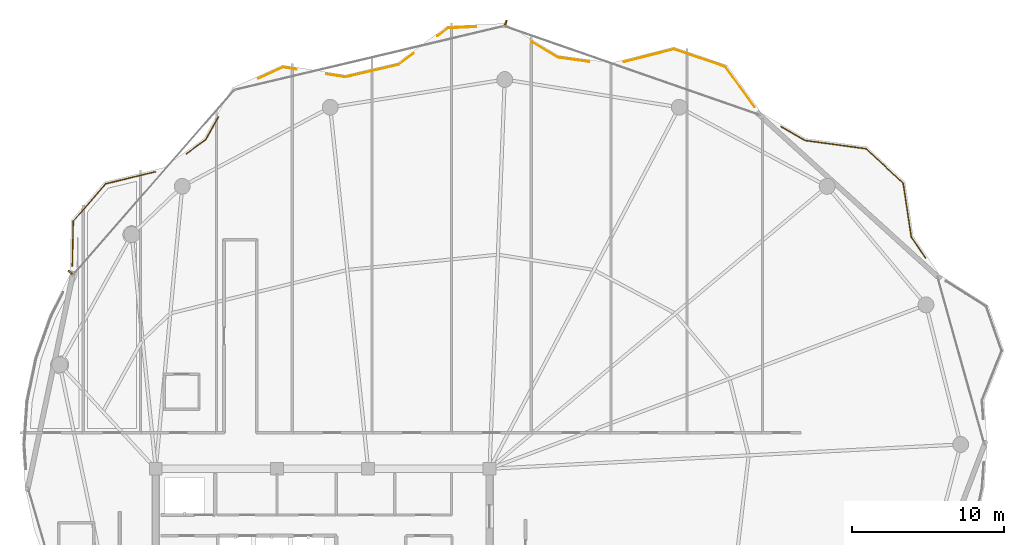
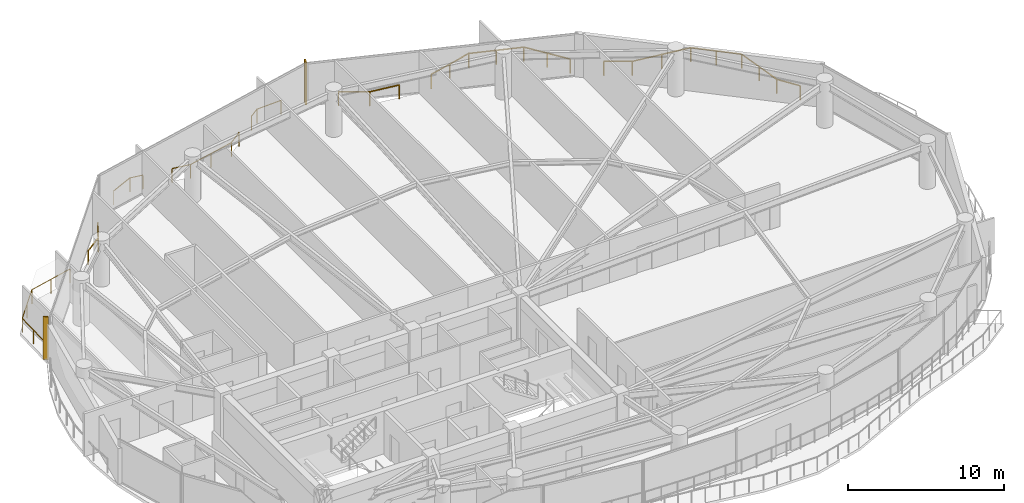
# One storey, part 29 of 29: 8 railings, 2 shading devices.
"""IFC4 building model written with IfcOpenShell, lengths in metres."""

from ifc_helpers import new_model, si_unit, direction, frame, origin, origin_2d, place, context, subcontext, project, spatial, rectangle, extrude, material, type_object, element, save


model = new_model("IFC4")

# Units and contexts
model_context = context("Model", 3, precision=1e-05, world=origin(), true_north=direction((0.0, 1.0)))
body_context = subcontext(model_context, "Body", "Model", "MODEL_VIEW")
ifc_project = project(units=[si_unit("LENGTHUNIT", "METRE"), si_unit("AREAUNIT", "SQUARE_METRE"), si_unit("VOLUMEUNIT", "CUBIC_METRE"), si_unit("PLANEANGLEUNIT", "RADIAN"), si_unit("MASSUNIT", "GRAM", prefix="KILO")], contexts=[model_context])

# Site, building, storey
site_placement = place(None, origin())
site = spatial("IfcSite", under=ifc_project, at=site_placement, CompositionType="ELEMENT")
building_placement = place(site_placement, origin())
building = spatial("IfcBuilding", under=site, at=building_placement, Name="Kazevale Care Tower and Concert Hall", CompositionType="ELEMENT")
storey_placement = place(building_placement, frame((0.0, 0.0, 199.199951171875)))
storey = spatial("IfcBuildingStorey", under=building, at=storey_placement, Name="L52", CompositionType="ELEMENT", Elevation=199.199951171875)

# Railings
ifc_material_1 = material(Name="Anodised Bronze Aluminium and Laminated Glass", Category="aluminium")
railing_type = type_object("IfcRailingType", Name="Balcony and Terrace Balustrade 1120", PredefinedType="BALUSTRADE", material=ifc_material_1)
railing_1_placement = place(storey_placement, frame((16.5009765625, 49.77392578125, 0.0)))
element("IfcRailing", 1, at=railing_1_placement, inside=storey, type_object=railing_type, Name="rail:L52:perim:2", PredefinedType="BALUSTRADE", context=body_context, shape_type="SweptSolid", body=[
    extrude(rectangle(XDim=0.048095703125, YDim=0.048095703125, at=origin_2d()), frame((0.0, 0.0, 1.09619140625), z_axis=(0.020776893953, 0.99978413704, 0.0), x_axis=(-0.99978413704, 0.020776893953, 0.0)), (0.0, 0.0, 1.0), 2.937744140625),
    extrude(rectangle(XDim=0.048095703125, YDim=0.048095703125, at=origin_2d()), frame((0.06103515625, 2.93701171875, 1.09619140625), z_axis=(0.653442230106, 0.75697638795, 0.0), x_axis=(-0.75697638795, 0.653442230106, 0.0)), (0.0, 0.0, 1.0), 3.256591796875),
    extrude(rectangle(XDim=0.048095703125, YDim=0.048095703125, at=origin_2d()), frame((2.18896484375, 5.402099609375, 1.09619140625), z_axis=(0.972048614054, 0.234779666741, 0.0), x_axis=(-0.234779666741, 0.972048614054, 0.0)), (0.0, 0.0, 1.0), 3.373291015625),
    extrude(rectangle(XDim=0.0419921875, YDim=0.0419921875, at=origin_2d()), origin(), (0.0, 0.0, 1.0), 1.072021484375),
    extrude(rectangle(XDim=0.0419921875, YDim=0.0419921875, at=origin_2d()), frame((0.030517578125, 1.468505859375, 0.0)), (0.0, 0.0, 1.0), 1.072021484375),
    extrude(rectangle(XDim=0.0419921875, YDim=0.0419921875, at=origin_2d()), frame((0.06103515625, 2.93701171875, 0.0)), (0.0, 0.0, 1.0), 1.072021484375),
    extrude(rectangle(XDim=0.0419921875, YDim=0.0419921875, at=origin_2d()), frame((1.125, 4.16943359375, 0.0)), (0.0, 0.0, 1.0), 1.072021484375),
    extrude(rectangle(XDim=0.0419921875, YDim=0.0419921875, at=origin_2d()), frame((2.18896484375, 5.402099609375, 0.0)), (0.0, 0.0, 1.0), 1.072021484375),
    extrude(rectangle(XDim=0.0419921875, YDim=0.0419921875, at=origin_2d()), frame((3.82861328125, 5.798095703125, 0.0)), (0.0, 0.0, 1.0), 1.072021484375),
    extrude(rectangle(XDim=0.0419921875, YDim=0.0419921875, at=origin_2d()), frame((5.468017578125, 6.194091796875, 0.0)), (0.0, 0.0, 1.0), 1.072021484375),
])
railing_2_placement = place(storey_placement, frame((24.01708984375, 57.159912109375, 0.0)))
element("IfcRailing", 2, at=railing_2_placement, inside=storey, type_object=railing_type, Name="rail:L52:perim:3", PredefinedType="BALUSTRADE", context=body_context, shape_type="SweptSolid", body=[
    extrude(rectangle(XDim=0.048095703125, YDim=0.048095703125, at=origin_2d()), frame((0.0, 0.0, 1.09619140625), z_axis=(0.809493304449, 0.587129108504, 0.0), x_axis=(-0.587129108504, 0.809493304449, 0.0)), (0.0, 0.0, 1.0), 1.56005859375),
    extrude(rectangle(XDim=0.048095703125, YDim=0.048095703125, at=origin_2d()), frame((1.262939453125, 0.916015625, 1.09619140625), z_axis=(0.490315047546, 0.871545267987, 0.0), x_axis=(-0.871545267987, 0.490315047546, 0.0)), (0.0, 0.0, 1.0), 1.723388671875),
    extrude(rectangle(XDim=0.0419921875, YDim=0.0419921875, at=origin_2d()), origin(), (0.0, 0.0, 1.0), 1.072021484375),
    extrude(rectangle(XDim=0.0419921875, YDim=0.0419921875, at=origin_2d()), frame((1.262939453125, 0.916015625, 0.0)), (0.0, 0.0, 1.0), 1.072021484375),
    extrude(rectangle(XDim=0.0419921875, YDim=0.0419921875, at=origin_2d()), frame((2.10791015625, 2.41796875, 0.0)), (0.0, 0.0, 1.0), 1.072021484375),
])
railing_3_placement = place(storey_placement, frame((28.763916015625, 62.125, 0.0)))
element("IfcRailing", 3, at=railing_3_placement, inside=storey, type_object=railing_type, Name="rail:L52:perim:4", PredefinedType="BALUSTRADE", context=body_context, shape_type="SweptSolid", body=[
    extrude(rectangle(XDim=0.048095703125, YDim=0.048095703125, at=origin_2d()), frame((0.0, 0.0, 1.09619140625), z_axis=(0.91054113019, 0.413418492853, 0.0), x_axis=(-0.413418492853, 0.91054113019, 0.0)), (0.0, 0.0, 1.0), 1.7705078125),
    extrude(rectangle(XDim=0.048095703125, YDim=0.048095703125, at=origin_2d()), frame((1.612060546875, 0.73193359375, 1.09619140625), z_axis=(0.98790083214, -0.155086897758, 0.0), x_axis=(0.155086897758, 0.98790083214, 0.0)), (0.0, 0.0, 1.0), 0.902099609375),
    extrude(rectangle(XDim=0.0419921875, YDim=0.0419921875, at=origin_2d()), origin(), (0.0, 0.0, 1.0), 1.072021484375),
    extrude(rectangle(XDim=0.0419921875, YDim=0.0419921875, at=origin_2d()), frame((1.612060546875, 0.73193359375, 0.0)), (0.0, 0.0, 1.0), 1.072021484375),
    extrude(rectangle(XDim=0.0419921875, YDim=0.0419921875, at=origin_2d()), frame((2.503173828125, 0.592041015625, 0.0)), (0.0, 0.0, 1.0), 1.072021484375),
])
railing_4_placement = place(storey_placement, frame((33.2509765625, 62.406005859375, 0.0)))
element("IfcRailing", 4, at=railing_4_placement, inside=storey, type_object=railing_type, Name="rail:L52:perim:5", PredefinedType="BALUSTRADE", context=body_context, shape_type="SweptSolid", body=[
    extrude(rectangle(XDim=0.048095703125, YDim=0.048095703125, at=origin_2d()), frame((0.0, 0.0, 1.09619140625), z_axis=(0.987942088413, -0.154823867485, 0.0), x_axis=(0.154823867485, 0.987942088413, 0.0)), (0.0, 0.0, 1.0), 1.266357421875),
    extrude(rectangle(XDim=0.048095703125, YDim=0.048095703125, at=origin_2d()), frame((1.2509765625, -0.196044921875, 1.09619140625), z_axis=(0.973807958737, 0.227372072823, 0.0), x_axis=(-0.227372072823, 0.973807958737, 0.0)), (0.0, 0.0, 1.0), 3.57568359375),
    extrude(rectangle(XDim=0.048095703125, YDim=0.048095703125, at=origin_2d()), frame((4.73291015625, 0.616943359375, 1.09619140625), z_axis=(0.805798451747, 0.592189881003, 0.0), x_axis=(-0.592189881003, 0.805798451747, 0.0)), (0.0, 0.0, 1.0), 1.2548828125),
    extrude(rectangle(XDim=0.0419921875, YDim=0.0419921875, at=origin_2d()), origin(), (0.0, 0.0, 1.0), 1.072021484375),
    extrude(rectangle(XDim=0.0419921875, YDim=0.0419921875, at=origin_2d()), frame((1.2509765625, -0.196044921875, 0.0)), (0.0, 0.0, 1.0), 1.072021484375),
    extrude(rectangle(XDim=0.0419921875, YDim=0.0419921875, at=origin_2d()), frame((2.991943359375, 0.21044921875, 0.0)), (0.0, 0.0, 1.0), 1.072021484375),
    extrude(rectangle(XDim=0.0419921875, YDim=0.0419921875, at=origin_2d()), frame((4.73291015625, 0.616943359375, 0.0)), (0.0, 0.0, 1.0), 1.072021484375),
    extrude(rectangle(XDim=0.0419921875, YDim=0.0419921875, at=origin_2d()), frame((5.744140625, 1.360107421875, 0.0)), (0.0, 0.0, 1.0), 1.072021484375),
])
railing_5_placement = place(storey_placement, frame((40.56396484375, 64.9189453125, 0.0)))
element("IfcRailing", 5, at=railing_5_placement, inside=storey, type_object=railing_type, Name="rail:L52:perim:6", PredefinedType="BALUSTRADE", context=body_context, shape_type="SweptSolid", body=[
    extrude(rectangle(XDim=0.048095703125, YDim=0.048095703125, at=origin_2d()), frame((0.0, 0.0, 1.09619140625), z_axis=(0.805713579929, 0.592305349561, 0.0), x_axis=(-0.592305349561, 0.805713579929, 0.0)), (0.0, 0.0, 1.0), 0.876220703125),
    extrude(rectangle(XDim=0.048095703125, YDim=0.048095703125, at=origin_2d()), frame((0.7060546875, 0.51904296875, 1.09619140625), z_axis=(0.998940261438, 0.046025580694, 0.0), x_axis=(-0.046025580694, 0.998940261438, 0.0)), (0.0, 0.0, 1.0), 1.845947265625),
    extrude(rectangle(XDim=0.0419921875, YDim=0.0419921875, at=origin_2d()), origin(), (0.0, 0.0, 1.0), 1.072021484375),
    extrude(rectangle(XDim=0.0419921875, YDim=0.0419921875, at=origin_2d()), frame((0.7060546875, 0.51904296875, 0.0)), (0.0, 0.0, 1.0), 1.072021484375),
    extrude(rectangle(XDim=0.0419921875, YDim=0.0419921875, at=origin_2d()), frame((2.550048828125, 0.60400390625, 0.0)), (0.0, 0.0, 1.0), 1.072021484375),
])
railing_6_placement = place(storey_placement, frame((46.783935546875, 64.529052734375, 0.0)))
element("IfcRailing", 6, at=railing_6_placement, inside=storey, type_object=railing_type, Name="rail:L52:perim:7", PredefinedType="BALUSTRADE", context=body_context, shape_type="SweptSolid", body=[
    extrude(rectangle(XDim=0.048095703125, YDim=0.048095703125, at=origin_2d()), frame((0.0, 0.0, 1.09619140625), z_axis=(0.859958006391, -0.510364798202, 0.0), x_axis=(0.510364798202, 0.859958006391, 0.0)), (0.0, 0.0, 1.0), 2.010498046875),
    extrude(rectangle(XDim=0.048095703125, YDim=0.048095703125, at=origin_2d()), frame((1.72900390625, -1.026123046875, 1.09619140625), z_axis=(0.990617777662, -0.136661693898, 0.0), x_axis=(0.136661693898, 0.990617777662, 0.0)), (0.0, 0.0, 1.0), 2.0400390625),
    extrude(rectangle(XDim=0.0419921875, YDim=0.0419921875, at=origin_2d()), origin(), (0.0, 0.0, 1.0), 1.072021484375),
    extrude(rectangle(XDim=0.0419921875, YDim=0.0419921875, at=origin_2d()), frame((1.72900390625, -1.026123046875, 0.0)), (0.0, 0.0, 1.0), 1.072021484375),
    extrude(rectangle(XDim=0.0419921875, YDim=0.0419921875, at=origin_2d()), frame((3.75, -1.304931640625, 0.0)), (0.0, 0.0, 1.0), 1.072021484375),
])
railing_7_placement = place(storey_placement, frame((52.8779296875, 63.212890625, 0.0)))
element("IfcRailing", 7, at=railing_7_placement, inside=storey, type_object=railing_type, Name="rail:L52:perim:8", PredefinedType="BALUSTRADE", context=body_context, shape_type="SweptSolid", body=[
    extrude(rectangle(XDim=0.048095703125, YDim=0.048095703125, at=origin_2d()), frame((0.0, 0.0, 1.09619140625), z_axis=(0.968841143246, 0.24768294078, 0.0), x_axis=(-0.24768294078, 0.968841143246, 0.0)), (0.0, 0.0, 1.0), 3.3681640625),
    extrude(rectangle(XDim=0.048095703125, YDim=0.048095703125, at=origin_2d()), frame((3.26318359375, 0.834228515625, 1.09619140625), z_axis=(0.946598937376, -0.322413479492, 0.0), x_axis=(0.322413479492, 0.946598937376, 0.0)), (0.0, 0.0, 1.0), 3.607421875),
    extrude(rectangle(XDim=0.048095703125, YDim=0.048095703125, at=origin_2d()), frame((6.677978515625, -0.328857421875, 1.09619140625), z_axis=(0.584785546416, -0.811187934269, 0.0), x_axis=(0.811187934269, 0.584785546416, 0.0)), (0.0, 0.0, 1.0), 3.26318359375),
    extrude(rectangle(XDim=0.0419921875, YDim=0.0419921875, at=origin_2d()), origin(), (0.0, 0.0, 1.0), 1.072021484375),
    extrude(rectangle(XDim=0.0419921875, YDim=0.0419921875, at=origin_2d()), frame((1.631591796875, 0.4169921875, 0.0)), (0.0, 0.0, 1.0), 1.072021484375),
    extrude(rectangle(XDim=0.0419921875, YDim=0.0419921875, at=origin_2d()), frame((3.26318359375, 0.834228515625, 0.0)), (0.0, 0.0, 1.0), 1.072021484375),
    extrude(rectangle(XDim=0.0419921875, YDim=0.0419921875, at=origin_2d()), frame((4.970703125, 0.252685546875, 0.0)), (0.0, 0.0, 1.0), 1.072021484375),
    extrude(rectangle(XDim=0.0419921875, YDim=0.0419921875, at=origin_2d()), frame((6.677978515625, -0.328857421875, 0.0)), (0.0, 0.0, 1.0), 1.072021484375),
    extrude(rectangle(XDim=0.0419921875, YDim=0.0419921875, at=origin_2d()), frame((7.632080078125, -1.65234375, 0.0)), (0.0, 0.0, 1.0), 1.072021484375),
    extrude(rectangle(XDim=0.0419921875, YDim=0.0419921875, at=origin_2d()), frame((8.586181640625, -2.975830078125, 0.0)), (0.0, 0.0, 1.0), 1.072021484375),
])
railing_8_placement = place(storey_placement, frame((63.200927734375, 58.946044921875, 0.0)))
element("IfcRailing", 8, at=railing_8_placement, inside=storey, type_object=railing_type, Name="rail:L52:perim:9", PredefinedType="BALUSTRADE", context=body_context, shape_type="SweptSolid", body=[
    extrude(rectangle(XDim=0.048095703125, YDim=0.048095703125, at=origin_2d()), frame((0.0, 0.0, 1.09619140625), z_axis=(0.866524193864, -0.49913507335, 0.0), x_axis=(0.49913507335, 0.866524193864, 0.0)), (0.0, 0.0, 1.0), 1.823486328125),
    extrude(rectangle(XDim=0.048095703125, YDim=0.048095703125, at=origin_2d()), frame((1.580078125, -0.91015625, 1.09619140625), z_axis=(0.990877699691, -0.134764180164, 0.0), x_axis=(0.134764180164, 0.990877699691, 0.0)), (0.0, 0.0, 1.0), 4.05810546875),
    extrude(rectangle(XDim=0.048095703125, YDim=0.048095703125, at=origin_2d()), frame((5.60107421875, -1.45703125, 1.09619140625), z_axis=(0.73603461898, -0.676943896983, 0.0), x_axis=(0.676943896983, 0.73603461898, 0.0)), (0.0, 0.0, 1.0), 3.334228515625),
    extrude(rectangle(XDim=0.048095703125, YDim=0.048095703125, at=origin_2d()), frame((8.05517578125, -3.714111328125, 1.09619140625), z_axis=(0.148940997459, -0.988846084725, 0.0), x_axis=(0.988846084725, 0.148940997459, 0.0)), (0.0, 0.0, 1.0), 3.597900390625),
    extrude(rectangle(XDim=0.048095703125, YDim=0.048095703125, at=origin_2d()), frame((8.591064453125, -7.27197265625, 1.09619140625), z_axis=(0.562761257822, -0.826619481197, 0.0), x_axis=(0.826619481197, 0.562761257822, 0.0)), (0.0, 0.0, 1.0), 1.671875),
    extrude(rectangle(XDim=0.0419921875, YDim=0.0419921875, at=origin_2d()), origin(), (0.0, 0.0, 1.0), 1.072021484375),
    extrude(rectangle(XDim=0.0419921875, YDim=0.0419921875, at=origin_2d()), frame((1.580078125, -0.91015625, 0.0)), (0.0, 0.0, 1.0), 1.072021484375),
    extrude(rectangle(XDim=0.0419921875, YDim=0.0419921875, at=origin_2d()), frame((3.590576171875, -1.18359375, 0.0)), (0.0, 0.0, 1.0), 1.072021484375),
    extrude(rectangle(XDim=0.0419921875, YDim=0.0419921875, at=origin_2d()), frame((5.60107421875, -1.45703125, 0.0)), (0.0, 0.0, 1.0), 1.072021484375),
    extrude(rectangle(XDim=0.0419921875, YDim=0.0419921875, at=origin_2d()), frame((6.828125, -2.58544921875, 0.0)), (0.0, 0.0, 1.0), 1.072021484375),
    extrude(rectangle(XDim=0.0419921875, YDim=0.0419921875, at=origin_2d()), frame((8.05517578125, -3.714111328125, 0.0)), (0.0, 0.0, 1.0), 1.072021484375),
    extrude(rectangle(XDim=0.0419921875, YDim=0.0419921875, at=origin_2d()), frame((8.3232421875, -5.4931640625, 0.0)), (0.0, 0.0, 1.0), 1.072021484375),
    extrude(rectangle(XDim=0.0419921875, YDim=0.0419921875, at=origin_2d()), frame((8.591064453125, -7.27197265625, 0.0)), (0.0, 0.0, 1.0), 1.072021484375),
    extrude(rectangle(XDim=0.0419921875, YDim=0.0419921875, at=origin_2d()), frame((9.531982421875, -8.654052734375, 0.0)), (0.0, 0.0, 1.0), 1.072021484375),
])

# Shading devices
ifc_material_2 = material(Name="Anodised Bronze Aluminium", Category="aluminium")
shading_device_type = type_object("IfcShadingDeviceType", Name="Waist Anodised Bronze-Stone Fin FIN-02", PredefinedType="USERDEFINED", material=ifc_material_2)
for number, where, z_axis, x_axis, name in (
    (9, (16.361328125, 49.347412109375, 0.0), (0.0, 0.0, 1.0), (-0.753792813636, 0.657112162503, 0.0), "cw:L52:f14:fin"),
    (10, (45.075927734375, 65.796630859375, 0.0), (0.0, 0.0, 1.0), (0.328536977169, 0.944491108816, 0.0), "cw:L52:f16:fin"),
):
    element("IfcShadingDevice", number, at=place(storey_placement, frame(where, z_axis=z_axis, x_axis=x_axis)), inside=storey, type_object=shading_device_type, Name=name, ObjectType="FIN", PredefinedType="USERDEFINED", context=body_context, shape_type="SweptSolid", body=[
        extrude(rectangle(XDim=0.340087890625, YDim=0.10009765625, at=origin_2d()), origin(), (0.0, 0.0, 1.0), 3.360107421875),
    ])

save(model, "model.ifc")
